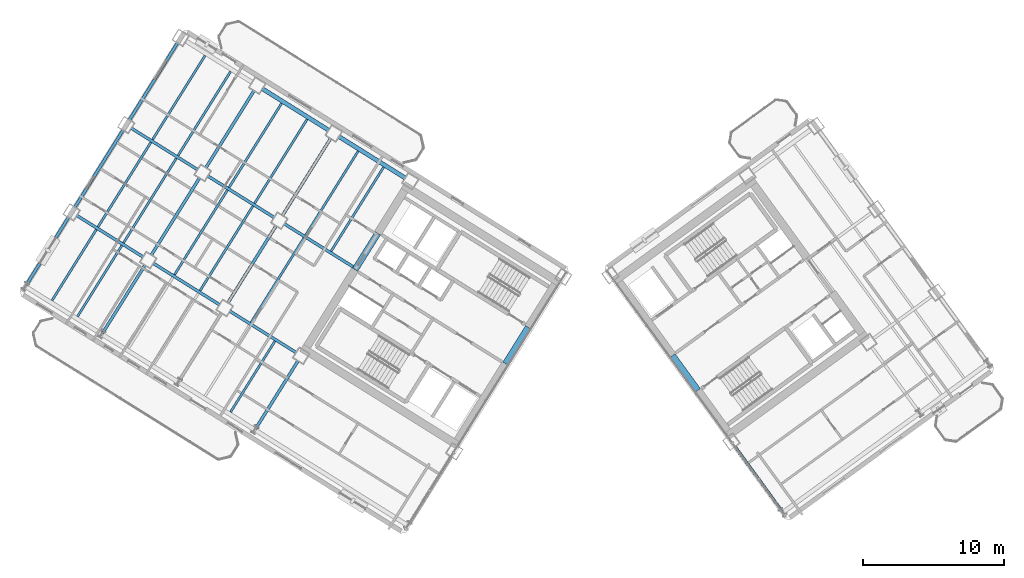
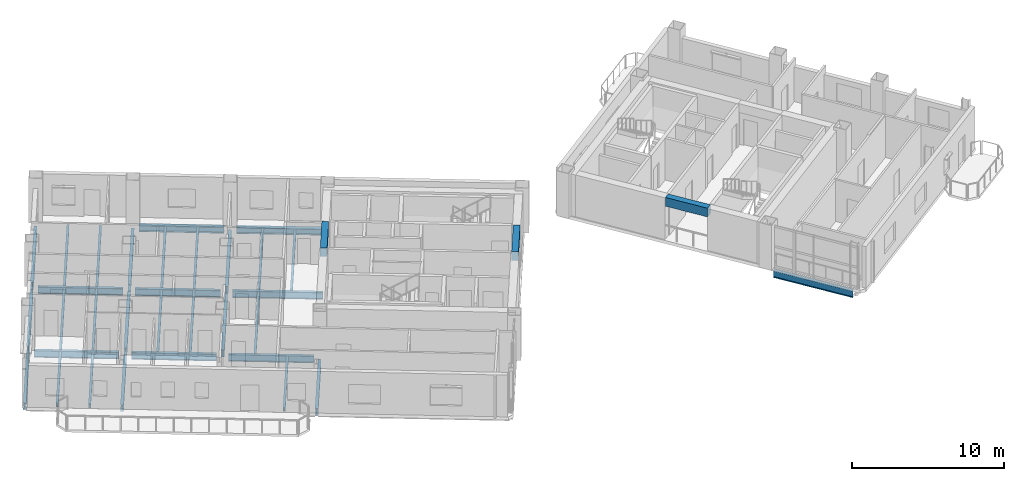
# One storey, part 7 of 19: 35 beams.
"""IFC4 building model written with IfcOpenShell, lengths in metres."""

from ifc_helpers import new_model, si_unit, direction, frame, origin, origin_2d, place, context, subcontext, project, spatial, rectangle, i_section, extrude, source, transform, mapped, material, material_profile, profile_set, type_object, element, save


model = new_model("IFC4")

# Units and contexts
model_context = context("Model", 3, precision=1e-05, world=origin(), true_north=direction((0.0, 1.0)))
body_context = subcontext(model_context, "Body", "Model", "MODEL_VIEW")
ifc_project = project(units=[si_unit("LENGTHUNIT", "METRE"), si_unit("AREAUNIT", "SQUARE_METRE"), si_unit("VOLUMEUNIT", "CUBIC_METRE"), si_unit("PLANEANGLEUNIT", "RADIAN"), si_unit("MASSUNIT", "GRAM", prefix="KILO")], contexts=[model_context])

# Site, building, storey
site_placement = place(None, origin())
site = spatial("IfcSite", under=ifc_project, at=site_placement, CompositionType="ELEMENT")
building_placement = place(site_placement, origin())
building = spatial("IfcBuilding", under=site, at=building_placement, Name="Tlacorven Tower", CompositionType="ELEMENT")
storey_placement = place(building_placement, frame((0.0, 0.0, 147.89990234375)))
storey = spatial("IfcBuildingStorey", under=building, at=storey_placement, Name="L37", CompositionType="ELEMENT", Elevation=147.89990234375)

# Beams
ifc_material_1 = material(Name="Concrete C60/75", Category="concrete")
ifc_material_profile_1 = material_profile(ifc_material_1, rectangle(XDim=0.449951171875, YDim=0.699951171875, at=origin_2d()), Name="RC 450X700")
ifc_profile_set_1 = profile_set([ifc_material_profile_1], Name="Concrete C60/75")
beam_type_1 = type_object("IfcBeamType", Name="BM-LNT-700", PredefinedType="LINTEL", material=ifc_profile_set_1)
shared_shape_1 = source(origin(), body_context, "Body", "SweptSolid", [
    extrude(rectangle(XDim=0.449951171875, YDim=0.699951171875, at=origin_2d()), origin(), (0.0, 0.0, 1.0), 3.050048828125),
])
for number, where, z_axis, x_axis, name in (
    (1, (38.2998046875, 20.890625, 3.0), (-0.529984549635, -0.848007297815, 0.0), (0.848007297815, -0.529984549635, 0.0), "L37 W core coupling lintel beam E1"),
    (2, (50.318359375, 16.416015625, 3.0), (-0.587776590479, 0.80902328748, 0.0), (-0.80902328748, -0.587776590479, 0.0), "L37 E core coupling lintel beam E1"),
):
    element("IfcBeam", number, at=place(storey_placement, frame(where, z_axis=z_axis, x_axis=x_axis)), inside=storey, type_object=beam_type_1, Name=name, PredefinedType="LINTEL", context=body_context, shape_type="MappedRepresentation", body=[
        mapped(shared_shape_1, transform((0.0, 0.0, 0.0), scale=1.0)),
    ])
shared_shape_2 = source(origin(), body_context, "Body", "SweptSolid", [
    extrude(rectangle(XDim=0.449951171875, YDim=0.699951171875, at=origin_2d()), origin(), (0.0, 0.0, 1.0), 3.0498046875),
])
beam_1_placement = place(storey_placement, frame((27.622802734375, 27.562255859375, 3.0), z_axis=(-0.529926983584, -0.848043272522, 0.0), x_axis=(0.848043272522, -0.529926983584, 0.0)))
element("IfcBeam", 3, at=beam_1_placement, inside=storey, type_object=beam_type_1, Name="L37 W core coupling lintel beam E2", PredefinedType="LINTEL", context=body_context, shape_type="MappedRepresentation", body=[
    mapped(shared_shape_2, transform((0.0, 0.0, 0.0), scale=1.0)),
])
ifc_material_2 = material(Name="Steel S355J2", Category="steel")
ifc_material_profile_2 = material_profile(ifc_material_2, i_section(OverallWidth=0.2099609375, OverallDepth=0.550048828125, WebThickness=0.010986328125, FlangeThickness=0.01708984375, at=origin_2d()), Name="IPE 550")
ifc_profile_set_2 = profile_set([ifc_material_profile_2], Name="Steel S355J2")
beam_type_2 = type_object("IfcBeamType", Name="BM-TWR-550", PredefinedType="BEAM", material=ifc_profile_set_2)
shared_shape_3 = source(origin(), body_context, "Body", "SweptSolid", [
    extrude(i_section(OverallWidth=0.2099609375, OverallDepth=0.550048828125, WebThickness=0.010986328125, FlangeThickness=0.01708984375, at=origin_2d()), origin(), (0.0, 0.0, 1.0), 5.599853515625),
])
for number, where, z_axis, x_axis, name in (
    (4, (20.292724609375, 28.6640625, -0.52490234375), (-0.848047285686, 0.529920561254, 0.0), (-0.529920561254, -0.848047285686, 0.0), "L37 beam BM-L37-WL2-4"),
    (5, (21.851806640625, 19.081787109375, -0.52490234375), (-0.848047285686, 0.529920561254, 0.0), (-0.529920561254, -0.848047285686, 0.0), "L37 beam BM-L37-WL3-3"),
    (6, (16.42431640625, 22.473388671875, -0.52490234375), (-0.848047285686, 0.529920561254, 0.0), (-0.529920561254, -0.848047285686, 0.0), "L37 beam BM-L37-WL3-4"),
    (7, (10.996826171875, 25.86474609375, -0.52490234375), (-0.848047285686, 0.529920561254, 0.0), (-0.529920561254, -0.848047285686, 0.0), "L37 beam BM-L37-WL3-5"),
):
    element("IfcBeam", number, at=place(storey_placement, frame(where, z_axis=z_axis, x_axis=x_axis)), inside=storey, type_object=beam_type_2, Name=name, PredefinedType="BEAM", context=body_context, shape_type="MappedRepresentation", body=[
        mapped(shared_shape_3, transform((0.0, 0.0, 0.0), scale=1.0)),
    ])
shared_shape_4 = source(origin(), body_context, "Body", "SweptSolid", [
    extrude(i_section(OverallWidth=0.2099609375, OverallDepth=0.550048828125, WebThickness=0.010986328125, FlangeThickness=0.01708984375, at=origin_2d()), origin(), (0.0, 0.0, 1.0), 5.960205078125),
])
beam_2_placement = place(storey_placement, frame((26.025634765625, 25.081787109375, -0.52490234375), z_axis=(-0.848042024898, 0.529928980153, 0.0), x_axis=(-0.529928980153, -0.848042024898, 0.0)))
element("IfcBeam", 8, at=beam_2_placement, inside=storey, type_object=beam_type_2, Name="L37 beam BM-L37-WL2-3", PredefinedType="BEAM", context=body_context, shape_type="MappedRepresentation", body=[
    mapped(shared_shape_4, transform((0.0, 0.0, 0.0), scale=1.0)),
])
shared_shape_5 = source(origin(), body_context, "Body", "SweptSolid", [
    extrude(i_section(OverallWidth=0.2099609375, OverallDepth=0.550048828125, WebThickness=0.010986328125, FlangeThickness=0.01708984375, at=origin_2d()), origin(), (0.0, 0.0, 1.0), 5.60009765625),
])
beam_3_placement = place(storey_placement, frame((14.865234375, 32.055419921875, -0.52490234375), z_axis=(-0.848027693204, 0.529951914384, 0.0), x_axis=(-0.529951914384, -0.848027693204, 0.0)))
element("IfcBeam", 9, at=beam_3_placement, inside=storey, type_object=beam_type_2, Name="L37 beam BM-L37-WL2-5", PredefinedType="BEAM", context=body_context, shape_type="MappedRepresentation", body=[
    mapped(shared_shape_5, transform((0.0, 0.0, 0.0), scale=1.0)),
])
ifc_material_profile_3 = material_profile(ifc_material_2, i_section(OverallWidth=0.300048828125, OverallDepth=0.489990234375, WebThickness=0.011962890625, FlangeThickness=0.02294921875, at=origin_2d()), Name="HEA 500")
ifc_profile_set_3 = profile_set([ifc_material_profile_3], Name="Steel S355J2")
beam_type_3 = type_object("IfcBeamType", Name="BM-SPN-500", PredefinedType="SPANDREL", material=ifc_profile_set_3)
shared_shape_6 = source(origin(), body_context, "Body", "SweptSolid", [
    extrude(i_section(OverallWidth=0.300048828125, OverallDepth=0.489990234375, WebThickness=0.011962890625, FlangeThickness=0.02294921875, at=origin_2d()), origin(), (0.0, 0.0, 1.0), 5.599853515625),
])
for number, where, z_axis, x_axis, name in (
    (10, (29.588623046875, 31.46337890625, -0.494873046875), (-0.848047285686, 0.529920561254, 0.0), (-0.529920561254, -0.848047285686, 0.0), "L37 beam BM-L37-WL1-3"),
    (11, (24.1611328125, 34.854736328125, -0.494873046875), (-0.848047285686, 0.529920561254, 0.0), (-0.529920561254, -0.848047285686, 0.0), "L37 beam BM-L37-WL1-4"),
):
    element("IfcBeam", number, at=place(storey_placement, frame(where, z_axis=z_axis, x_axis=x_axis)), inside=storey, type_object=beam_type_3, Name=name, PredefinedType="SPANDREL", context=body_context, shape_type="MappedRepresentation", body=[
        mapped(shared_shape_6, transform((0.0, 0.0, 0.0), scale=1.0)),
    ])
shared_shape_7 = source(origin(), body_context, "Body", "SweptSolid", [
    extrude(i_section(OverallWidth=0.2099609375, OverallDepth=0.550048828125, WebThickness=0.010986328125, FlangeThickness=0.01708984375, at=origin_2d()), origin(), (0.0, 0.0, 1.0), 5.7001953125),
])
for number, where, z_axis, x_axis, name in (
    (12, (11.1240234375, 25.313720703125, -0.52490234375), (-0.529906537151, -0.848056048787, 0.0), (0.848056048787, -0.529906537151, 0.0), "L37 beam BM-L37-WT5-3"),
    (13, (5.696533203125, 28.705078125, -0.52490234375), (-0.529906537151, -0.848056048787, 0.0), (0.848056048787, -0.529906537151, 0.0), "L37 beam BM-L37-WT6-3"),
):
    element("IfcBeam", number, at=place(storey_placement, frame(where, z_axis=z_axis, x_axis=x_axis)), inside=storey, type_object=beam_type_2, Name=name, PredefinedType="BEAM", context=body_context, shape_type="MappedRepresentation", body=[
        mapped(shared_shape_7, transform((0.0, 0.0, 0.0), scale=1.0)),
    ])
shared_shape_8 = source(origin(), body_context, "Body", "SweptSolid", [
    extrude(i_section(OverallWidth=0.2099609375, OverallDepth=0.550048828125, WebThickness=0.010986328125, FlangeThickness=0.01708984375, at=origin_2d()), origin(), (0.0, 0.0, 1.0), 5.699951171875),
])
for number, where, z_axis, x_axis, name in (
    (14, (21.979248046875, 18.530517578125, -0.52490234375), (-0.5299565889, -0.848024771974, 0.0), (0.848024771974, -0.5299565889, 0.0), "L37 beam BM-L37-WT3-2"),
    (15, (56.291015625, 7.83837890625, -0.52490234375), (-0.587815099892, 0.808995307983, 0.0), (-0.808995307983, -0.587815099892, 0.0), "L37 beam BM-L37-ET1-1"),
):
    element("IfcBeam", number, at=place(storey_placement, frame(where, z_axis=z_axis, x_axis=x_axis)), inside=storey, type_object=beam_type_2, Name=name, PredefinedType="BEAM", context=body_context, shape_type="MappedRepresentation", body=[
        mapped(shared_shape_8, transform((0.0, 0.0, 0.0), scale=1.0)),
    ])
shared_shape_9 = source(origin(), body_context, "Body", "SweptSolid", [
    extrude(i_section(OverallWidth=0.2099609375, OverallDepth=0.550048828125, WebThickness=0.010986328125, FlangeThickness=0.01708984375, at=origin_2d()), origin(), (0.0, 0.0, 1.0), 6.500244140625),
])
beam_4_placement = place(storey_placement, frame((24.28857421875, 34.3037109375, -0.52490234375), z_axis=(-0.529921287515, -0.848046831866, 0.0), x_axis=(0.848046831866, -0.529921287515, 0.0)))
element("IfcBeam", 16, at=beam_4_placement, inside=storey, type_object=beam_type_2, Name="L37 beam BM-L37-WT4-1", PredefinedType="BEAM", context=body_context, shape_type="MappedRepresentation", body=[
    mapped(shared_shape_9, transform((0.0, 0.0, 0.0), scale=1.0)),
])
shared_shape_10 = source(origin(), body_context, "Body", "SweptSolid", [
    extrude(i_section(OverallWidth=0.2099609375, OverallDepth=0.550048828125, WebThickness=0.010986328125, FlangeThickness=0.01708984375, at=origin_2d()), origin(), (0.0, 0.0, 1.0), 6.5),
])
for number, where, z_axis, x_axis, name in (
    (17, (20.420166015625, 28.11279296875, -0.52490234375), (-0.529938166933, -0.848036284146, 0.0), (0.848036284146, -0.529938166933, 0.0), "L37 beam BM-L37-WT4-2"),
    (18, (14.992431640625, 31.50439453125, -0.52490234375), (-0.529894274829, -0.848063710757, 0.0), (0.848063710757, -0.529894274829, 0.0), "L37 beam BM-L37-WT5-2"),
    (19, (13.433349609375, 41.086669921875, -0.52490234375), (-0.529894274829, -0.848063710757, 0.0), (0.848063710757, -0.529894274829, 0.0), "L37 beam BM-L37-WT6-1"),
):
    element("IfcBeam", number, at=place(storey_placement, frame(where, z_axis=z_axis, x_axis=x_axis)), inside=storey, type_object=beam_type_2, Name=name, PredefinedType="BEAM", context=body_context, shape_type="MappedRepresentation", body=[
        mapped(shared_shape_10, transform((0.0, 0.0, 0.0), scale=1.0)),
    ])
shared_shape_11 = source(origin(), body_context, "Body", "SweptSolid", [
    extrude(i_section(OverallWidth=0.2099609375, OverallDepth=0.550048828125, WebThickness=0.010986328125, FlangeThickness=0.01708984375, at=origin_2d()), origin(), (0.0, 0.0, 1.0), 6.499755859375),
])
for number, where, z_axis, x_axis, name in (
    (20, (18.86083984375, 37.695068359375, -0.52490234375), (-0.529911154058, -0.848053163902, 0.0), (0.848053163902, -0.529911154058, 0.0), "L37 beam BM-L37-WT5-1"),
    (21, (9.56494140625, 34.895751953125, -0.52490234375), (-0.529911154058, -0.848053163902, 0.0), (0.848053163902, -0.529911154058, 0.0), "L37 beam BM-L37-WT6-2"),
):
    element("IfcBeam", number, at=place(storey_placement, frame(where, z_axis=z_axis, x_axis=x_axis)), inside=storey, type_object=beam_type_2, Name=name, PredefinedType="BEAM", context=body_context, shape_type="MappedRepresentation", body=[
        mapped(shared_shape_11, transform((0.0, 0.0, 0.0), scale=1.0)),
    ])
ifc_material_profile_4 = material_profile(ifc_material_2, i_section(OverallWidth=0.159912109375, OverallDepth=0.330078125, WebThickness=0.007568359375, FlangeThickness=0.011474609375, at=origin_2d()), Name="IPE 330")
ifc_profile_set_4 = profile_set([ifc_material_profile_4], Name="Steel S355J2")
beam_type_4 = type_object("IfcBeamType", Name="BM-JST-330", PredefinedType="JOIST", material=ifc_profile_set_4)
shared_shape_12 = source(origin(), body_context, "Body", "SweptSolid", [
    extrude(i_section(OverallWidth=0.159912109375, OverallDepth=0.330078125, WebThickness=0.007568359375, FlangeThickness=0.011474609375, at=origin_2d()), origin(), (0.0, 0.0, 1.0), 5.93505859375),
])
for number, where, z_axis, x_axis, name in (
    (22, (20.32373046875, 19.906982421875, -0.414794921875), (-0.529910194899, -0.848053763238, 0.0), (0.848053763238, -0.529910194899, 0.0), "L37 beam BM-L37-WJ3-3-1"),
    (23, (9.46875, 26.68994140625, -0.414794921875), (-0.529939778535, -0.848035277053, 0.0), (0.848035277053, -0.529939778535, 0.0), "L37 beam BM-L37-WJ5-3-1"),
    (24, (7.659423828125, 27.820556640625, -0.414794921875), (-0.529910194899, -0.848053763238, 0.0), (0.848053763238, -0.529910194899, 0.0), "L37 beam BM-L37-WJ5-3-2"),
):
    element("IfcBeam", number, at=place(storey_placement, frame(where, z_axis=z_axis, x_axis=x_axis)), inside=storey, type_object=beam_type_4, Name=name, PredefinedType="JOIST", context=body_context, shape_type="MappedRepresentation", body=[
        mapped(shared_shape_12, transform((0.0, 0.0, 0.0), scale=1.0)),
    ])
shared_shape_13 = source(origin(), body_context, "Body", "SweptSolid", [
    extrude(i_section(OverallWidth=0.159912109375, OverallDepth=0.330078125, WebThickness=0.007568359375, FlangeThickness=0.011474609375, at=origin_2d()), origin(), (0.0, 0.0, 1.0), 7.080078125),
])
beam_5_placement = place(storey_placement, frame((18.7646484375, 29.4892578125, -0.414794921875), z_axis=(-0.529933847046, -0.848038983629, 0.0), x_axis=(0.848038983629, -0.529933847046, 0.0)))
element("IfcBeam", 25, at=beam_5_placement, inside=storey, type_object=beam_type_4, Name="L37 beam BM-L37-WJ4-2-1", PredefinedType="JOIST", context=body_context, shape_type="MappedRepresentation", body=[
    mapped(shared_shape_13, transform((0.0, 0.0, 0.0), scale=1.0)),
])
shared_shape_14 = source(origin(), body_context, "Body", "SweptSolid", [
    extrude(i_section(OverallWidth=0.159912109375, OverallDepth=0.330078125, WebThickness=0.007568359375, FlangeThickness=0.011474609375, at=origin_2d()), origin(), (0.0, 0.0, 1.0), 7.03515625),
])
for number, where, z_axis, x_axis, name in (
    (26, (28.03662109375, 32.25048828125, -0.414794921875), (-0.529920952588, -0.848047041153, 0.0), (0.848047041153, -0.529920952588, 0.0), "L37 beam BM-L37-WJ3-1-1"),
    (27, (26.2275390625, 33.380859375, -0.414794921875), (-0.529920952588, -0.848047041153, 0.0), (0.848047041153, -0.529920952588, 0.0), "L37 beam BM-L37-WJ3-1-2"),
    (28, (22.609130859375, 35.641845703125, -0.414794921875), (-0.529920952588, -0.848047041153, 0.0), (0.848047041153, -0.529920952588, 0.0), "L37 beam BM-L37-WJ4-1-1"),
    (29, (20.800048828125, 36.7724609375, -0.414794921875), (-0.529920952588, -0.848047041153, 0.0), (0.848047041153, -0.529920952588, 0.0), "L37 beam BM-L37-WJ4-1-2"),
    (30, (17.181640625, 39.033447265625, -0.414794921875), (-0.529920952588, -0.848047041153, 0.0), (0.848047041153, -0.529920952588, 0.0), "L37 beam BM-L37-WJ5-1-1"),
):
    element("IfcBeam", number, at=place(storey_placement, frame(where, z_axis=z_axis, x_axis=x_axis)), inside=storey, type_object=beam_type_4, Name=name, PredefinedType="JOIST", context=body_context, shape_type="MappedRepresentation", body=[
        mapped(shared_shape_14, transform((0.0, 0.0, 0.0), scale=1.0)),
    ])
shared_shape_15 = source(origin(), body_context, "Body", "SweptSolid", [
    extrude(i_section(OverallWidth=0.159912109375, OverallDepth=0.330078125, WebThickness=0.007568359375, FlangeThickness=0.011474609375, at=origin_2d()), origin(), (0.0, 0.0, 1.0), 7.079833984375),
])
for number, where, z_axis, x_axis, name in (
    (31, (22.3828125, 27.228271484375, -0.414794921875), (-0.529909047265, -0.848054480341, 0.0), (0.848054480341, -0.529909047265, 0.0), "L37 beam BM-L37-WJ3-2-2"),
    (32, (16.955322265625, 30.619873046875, -0.414794921875), (-0.529909047265, -0.848054480341, 0.0), (0.848054480341, -0.529909047265, 0.0), "L37 beam BM-L37-WJ4-2-2"),
    (33, (11.52783203125, 34.01123046875, -0.414794921875), (-0.529909047265, -0.848054480341, 0.0), (0.848054480341, -0.529909047265, 0.0), "L37 beam BM-L37-WJ5-2-2"),
):
    element("IfcBeam", number, at=place(storey_placement, frame(where, z_axis=z_axis, x_axis=x_axis)), inside=storey, type_object=beam_type_4, Name=name, PredefinedType="JOIST", context=body_context, shape_type="MappedRepresentation", body=[
        mapped(shared_shape_15, transform((0.0, 0.0, 0.0), scale=1.0)),
    ])
shared_shape_16 = source(origin(), body_context, "Body", "SweptSolid", [
    extrude(i_section(OverallWidth=0.159912109375, OverallDepth=0.330078125, WebThickness=0.007568359375, FlangeThickness=0.011474609375, at=origin_2d()), origin(), (0.0, 0.0, 1.0), 7.034912109375),
])
beam_6_placement = place(storey_placement, frame((15.372314453125, 40.163818359375, -0.414794921875), z_axis=(-0.529895993776, -0.848062636708, 0.0), x_axis=(0.848062636708, -0.529895993776, 0.0)))
element("IfcBeam", 34, at=beam_6_placement, inside=storey, type_object=beam_type_4, Name="L37 beam BM-L37-WJ5-1-2", PredefinedType="JOIST", context=body_context, shape_type="MappedRepresentation", body=[
    mapped(shared_shape_16, transform((0.0, 0.0, 0.0), scale=1.0)),
])
shared_shape_17 = source(origin(), body_context, "Body", "SweptSolid", [
    extrude(i_section(OverallWidth=0.159912109375, OverallDepth=0.330078125, WebThickness=0.007568359375, FlangeThickness=0.011474609375, at=origin_2d()), origin(), (0.0, 0.0, 1.0), 7.080322265625),
])
beam_7_placement = place(storey_placement, frame((13.337158203125, 32.880859375, -0.414794921875), z_axis=(-0.52991835062, -0.848048667045, 0.0), x_axis=(0.848048667045, -0.52991835062, 0.0)))
element("IfcBeam", 35, at=beam_7_placement, inside=storey, type_object=beam_type_4, Name="L37 beam BM-L37-WJ5-2-1", PredefinedType="JOIST", context=body_context, shape_type="MappedRepresentation", body=[
    mapped(shared_shape_17, transform((0.0, 0.0, 0.0), scale=1.0)),
])

save(model, "model.ifc")
